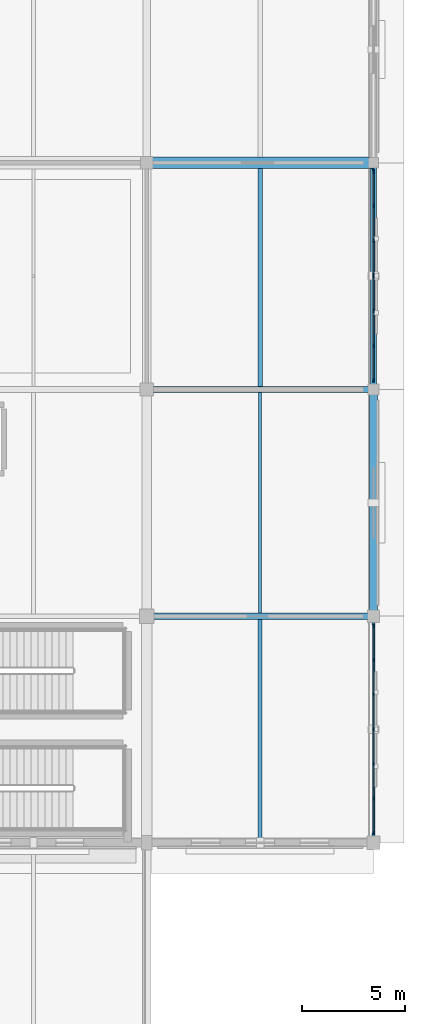
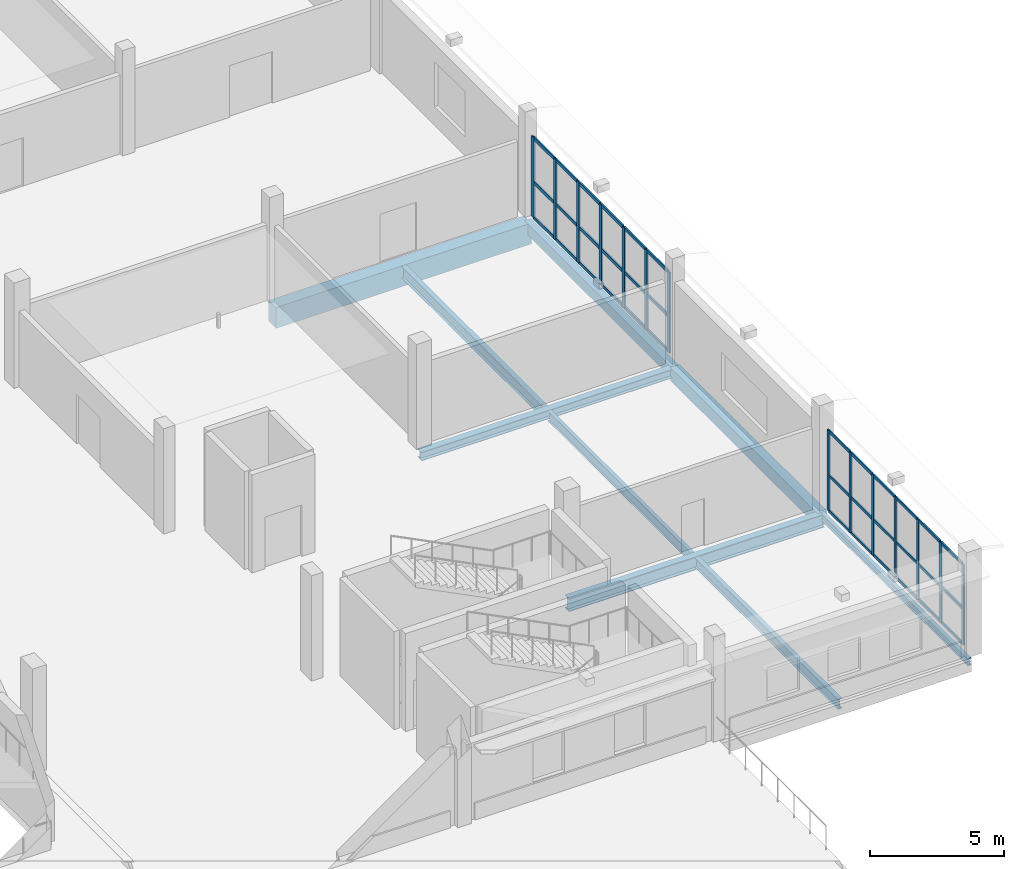
# One storey, part 62 of 143: 50 members, 9 beams, 2 elements without a shape of their own.
"""IFC4 building model written with IfcOpenShell, lengths in metres."""

from ifc_helpers import new_model, si_unit, direction, frame, origin, origin_2d, place, context, subcontext, project, spatial, rectangle, hollow_rectangle, i_section, extrude, material, material_profile, profile_set, type_object, element, aggregate, save


model = new_model("IFC4")

# Units and contexts
model_context = context("Model", 3, precision=1e-05, world=origin(), true_north=direction((0.0, 1.0)))
body_context = subcontext(model_context, "Body", "Model", "MODEL_VIEW")
ifc_project = project(units=[si_unit("LENGTHUNIT", "METRE"), si_unit("AREAUNIT", "SQUARE_METRE"), si_unit("VOLUMEUNIT", "CUBIC_METRE"), si_unit("PLANEANGLEUNIT", "RADIAN"), si_unit("MASSUNIT", "GRAM", prefix="KILO")], contexts=[model_context])

# Site, building, storey
site_placement = place(None, origin())
site = spatial("IfcSite", under=ifc_project, at=site_placement, CompositionType="ELEMENT")
building_placement = place(site_placement, origin())
building = spatial("IfcBuilding", under=site, at=building_placement, Name="Luwafu Chhajja Arena", CompositionType="ELEMENT")
storey_placement = place(building_placement, frame((0.0, 0.0, 5.39990234375)))
storey = spatial("IfcBuildingStorey", under=building, at=storey_placement, Name="L01", CompositionType="ELEMENT", Elevation=5.39990234375)

# Curtain wall, members
ifc_material_1 = material(Name="Anodised bronze aluminium", Category="aluminium")
curtain_wall_type_1 = type_object("IfcCurtainWallType", Name="Charbagh Cloister Curtain Wall", PredefinedType="USERDEFINED", material=ifc_material_1)
curtain_wall_1_placement = place(storey_placement, origin())
curtain_wall_1 = element("IfcCurtainWall", 1, at=curtain_wall_1_placement, inside=storey, type_object=curtain_wall_type_1, Name="L01 Curtain Wall CWG-L01-V17_01", ObjectType="CURTAIN WALL", PredefinedType="USERDEFINED")
ifc_material_profile_1 = material_profile(ifc_material_1, rectangle(XDim=0.06005859375, YDim=0.159912109375, at=origin_2d()), Name="CWM 60x160")
ifc_profile_set_1 = profile_set([ifc_material_profile_1], Name="Anodised bronze aluminium")
member_type_1 = type_object("IfcMemberType", Name="Bronze Curtain Wall Mullion 60x160", PredefinedType="MULLION", material=ifc_profile_set_1)
member_1_placement = place(storey_placement, frame((198.0, 11.4951171875, 0.030029296875), z_axis=(0.0, 0.0, 1.0), x_axis=(-1.0, 0.0, 0.0)))
member_1 = element("IfcMember", 2, at=member_1_placement, type_object=member_type_1, Name="CW-06 mullion 1", PredefinedType="MULLION", context=body_context, shape_type="SweptSolid", body=[
    extrude(rectangle(XDim=0.06005859375, YDim=0.159912109375, at=origin_2d()), origin(), (0.0, 0.0, 1.0), 3.675048828125),
])
member_2_placement = place(storey_placement, frame((198.0, 13.1474609375, 0.030029296875), z_axis=(0.0, 0.0, 1.0), x_axis=(-1.0, 0.0, 0.0)))
member_2 = element("IfcMember", 3, at=member_2_placement, type_object=member_type_1, Name="CW-06 mullion 2", PredefinedType="MULLION", context=body_context, shape_type="SweptSolid", body=[
    extrude(rectangle(XDim=0.06005859375, YDim=0.159912109375, at=origin_2d()), origin(), (0.0, 0.0, 1.0), 3.675048828125),
])
member_3_placement = place(storey_placement, frame((198.0, 14.830078125, 0.030029296875), z_axis=(0.0, 0.0, 1.0), x_axis=(-1.0, 0.0, 0.0)))
member_3 = element("IfcMember", 4, at=member_3_placement, type_object=member_type_1, Name="CW-06 mullion 3", PredefinedType="MULLION", context=body_context, shape_type="SweptSolid", body=[
    extrude(rectangle(XDim=0.06005859375, YDim=0.159912109375, at=origin_2d()), origin(), (0.0, 0.0, 1.0), 3.675048828125),
])
member_4_placement = place(storey_placement, frame((198.0, 16.512451171875, 0.030029296875), z_axis=(0.0, 0.0, 1.0), x_axis=(-1.0, 0.0, 0.0)))
member_4 = element("IfcMember", 5, at=member_4_placement, type_object=member_type_1, Name="CW-06 mullion 4", PredefinedType="MULLION", context=body_context, shape_type="SweptSolid", body=[
    extrude(rectangle(XDim=0.06005859375, YDim=0.159912109375, at=origin_2d()), origin(), (0.0, 0.0, 1.0), 3.675048828125),
])
member_5_placement = place(storey_placement, frame((198.0, 18.195068359375, 0.030029296875), z_axis=(0.0, 0.0, 1.0), x_axis=(-1.0, 0.0, 0.0)))
member_5 = element("IfcMember", 6, at=member_5_placement, type_object=member_type_1, Name="CW-06 mullion 5", PredefinedType="MULLION", context=body_context, shape_type="SweptSolid", body=[
    extrude(rectangle(XDim=0.06005859375, YDim=0.159912109375, at=origin_2d()), origin(), (0.0, 0.0, 1.0), 3.675048828125),
])
member_6_placement = place(storey_placement, frame((198.0, 19.87744140625, 0.030029296875), z_axis=(0.0, 0.0, 1.0), x_axis=(-1.0, 0.0, 0.0)))
member_6 = element("IfcMember", 7, at=member_6_placement, type_object=member_type_1, Name="CW-06 mullion 6", PredefinedType="MULLION", context=body_context, shape_type="SweptSolid", body=[
    extrude(rectangle(XDim=0.06005859375, YDim=0.159912109375, at=origin_2d()), origin(), (0.0, 0.0, 1.0), 3.675048828125),
])
member_7_placement = place(storey_placement, frame((198.0, 21.530029296875, 0.030029296875), z_axis=(0.0, 0.0, 1.0), x_axis=(-1.0, 0.0, 0.0)))
member_7 = element("IfcMember", 8, at=member_7_placement, type_object=member_type_1, Name="CW-06 mullion 7", PredefinedType="MULLION", context=body_context, shape_type="SweptSolid", body=[
    extrude(rectangle(XDim=0.06005859375, YDim=0.159912109375, at=origin_2d()), origin(), (0.0, 0.0, 1.0), 3.675048828125),
])

curtain_wall_type_2 = type_object("IfcCurtainWallType", Name="VIP Club Terrace Curtain Wall", PredefinedType="USERDEFINED", material=ifc_material_1)
curtain_wall_2_placement = place(storey_placement, origin())
curtain_wall_2 = element("IfcCurtainWall", 9, at=curtain_wall_2_placement, inside=storey, type_object=curtain_wall_type_2, Name="L01 Curtain Wall CWG-L01-V17_03", ObjectType="CURTAIN WALL", PredefinedType="USERDEFINED")
ifc_material_profile_2 = material_profile(ifc_material_1, rectangle(XDim=0.06494140625, YDim=0.199951171875, at=origin_2d()), Name="CWM 65x200")
ifc_profile_set_2 = profile_set([ifc_material_profile_2], Name="Anodised bronze aluminium")
member_type_2 = type_object("IfcMemberType", Name="Bronze Curtain Wall Mullion 65x200", PredefinedType="MULLION", material=ifc_profile_set_2)
member_8_placement = place(storey_placement, frame((198.0, 33.447509765625, 0.030029296875), z_axis=(0.0, 0.0, 1.0), x_axis=(-1.0, 0.0, 0.0)))
member_8 = element("IfcMember", 10, at=member_8_placement, type_object=member_type_2, Name="CW-10 mullion 1", PredefinedType="MULLION", context=body_context, shape_type="SweptSolid", body=[
    extrude(rectangle(XDim=0.06494140625, YDim=0.199951171875, at=origin_2d()), origin(), (0.0, 0.0, 1.0), 3.675048828125),
])
member_9_placement = place(storey_placement, frame((198.0, 35.1142578125, 0.030029296875), z_axis=(0.0, 0.0, 1.0), x_axis=(-1.0, 0.0, 0.0)))
member_9 = element("IfcMember", 11, at=member_9_placement, type_object=member_type_2, Name="CW-10 mullion 2", PredefinedType="MULLION", context=body_context, shape_type="SweptSolid", body=[
    extrude(rectangle(XDim=0.06494140625, YDim=0.199951171875, at=origin_2d()), origin(), (0.0, 0.0, 1.0), 3.675048828125),
])
member_10_placement = place(storey_placement, frame((198.0, 36.813232421875, 0.030029296875), z_axis=(0.0, 0.0, 1.0), x_axis=(-1.0, 0.0, 0.0)))
member_10 = element("IfcMember", 12, at=member_10_placement, type_object=member_type_2, Name="CW-10 mullion 3", PredefinedType="MULLION", context=body_context, shape_type="SweptSolid", body=[
    extrude(rectangle(XDim=0.06494140625, YDim=0.199951171875, at=origin_2d()), origin(), (0.0, 0.0, 1.0), 3.675048828125),
])
member_11_placement = place(storey_placement, frame((198.0, 38.512451171875, 0.030029296875), z_axis=(0.0, 0.0, 1.0), x_axis=(-1.0, 0.0, 0.0)))
member_11 = element("IfcMember", 13, at=member_11_placement, type_object=member_type_2, Name="CW-10 mullion 4", PredefinedType="MULLION", context=body_context, shape_type="SweptSolid", body=[
    extrude(rectangle(XDim=0.06494140625, YDim=0.199951171875, at=origin_2d()), origin(), (0.0, 0.0, 1.0), 3.675048828125),
])
member_12_placement = place(storey_placement, frame((198.0, 40.211669921875, 0.030029296875), z_axis=(0.0, 0.0, 1.0), x_axis=(-1.0, 0.0, 0.0)))
member_12 = element("IfcMember", 14, at=member_12_placement, type_object=member_type_2, Name="CW-10 mullion 5", PredefinedType="MULLION", context=body_context, shape_type="SweptSolid", body=[
    extrude(rectangle(XDim=0.06494140625, YDim=0.199951171875, at=origin_2d()), origin(), (0.0, 0.0, 1.0), 3.675048828125),
])
member_13_placement = place(storey_placement, frame((198.0, 41.910888671875, 0.030029296875), z_axis=(0.0, 0.0, 1.0), x_axis=(-1.0, 0.0, 0.0)))
member_13 = element("IfcMember", 15, at=member_13_placement, type_object=member_type_2, Name="CW-10 mullion 6", PredefinedType="MULLION", context=body_context, shape_type="SweptSolid", body=[
    extrude(rectangle(XDim=0.06494140625, YDim=0.199951171875, at=origin_2d()), origin(), (0.0, 0.0, 1.0), 3.675048828125),
])
member_14_placement = place(storey_placement, frame((198.0, 43.577392578125, 0.030029296875), z_axis=(0.0, 0.0, 1.0), x_axis=(-1.0, 0.0, 0.0)))
member_14 = element("IfcMember", 16, at=member_14_placement, type_object=member_type_2, Name="CW-10 mullion 7", PredefinedType="MULLION", context=body_context, shape_type="SweptSolid", body=[
    extrude(rectangle(XDim=0.06494140625, YDim=0.199951171875, at=origin_2d()), origin(), (0.0, 0.0, 1.0), 3.675048828125),
])

# Member
ifc_material_profile_3 = material_profile(ifc_material_1, rectangle(XDim=0.06005859375, YDim=0.1298828125, at=origin_2d()), Name="CWT 60x130")
ifc_profile_set_3 = profile_set([ifc_material_profile_3], Name="Anodised bronze aluminium")
member_type_3 = type_object("IfcMemberType", Name="Bronze Curtain Wall Transom 60x130", PredefinedType="USERDEFINED", material=ifc_profile_set_3)
member_15_placement = place(storey_placement, frame((198.0, 11.52490234375, 0.06005859375), z_axis=(0.0, 1.0, 0.0), x_axis=(-1.0, 0.0, 0.0)))
member_15 = element("IfcMember", 17, at=member_15_placement, type_object=member_type_3, Name="CW-06 transom 1.1", ObjectType="TRANSOM", PredefinedType="USERDEFINED", context=body_context, shape_type="SweptSolid", body=[
    extrude(rectangle(XDim=0.06005859375, YDim=0.1298828125, at=origin_2d()), origin(), (0.0, 0.0, 1.0), 1.592529296875),
])

member_16_placement = place(storey_placement, frame((198.0, 11.52490234375, 1.66748046875), z_axis=(0.0, 1.0, 0.0), x_axis=(-1.0, 0.0, 0.0)))
member_16 = element("IfcMember", 18, at=member_16_placement, type_object=member_type_3, Name="CW-06 transom 1.2", ObjectType="TRANSOM", PredefinedType="USERDEFINED", context=body_context, shape_type="SweptSolid", body=[
    extrude(rectangle(XDim=0.06005859375, YDim=0.1298828125, at=origin_2d()), origin(), (0.0, 0.0, 1.0), 1.592529296875),
])

member_17_placement = place(storey_placement, frame((198.0, 11.52490234375, 3.675048828125), z_axis=(0.0, 1.0, 0.0), x_axis=(-1.0, 0.0, 0.0)))
member_17 = element("IfcMember", 19, at=member_17_placement, type_object=member_type_3, Name="CW-06 transom 1.3", ObjectType="TRANSOM", PredefinedType="USERDEFINED", context=body_context, shape_type="SweptSolid", body=[
    extrude(rectangle(XDim=0.06005859375, YDim=0.1298828125, at=origin_2d()), origin(), (0.0, 0.0, 1.0), 1.592529296875),
])

member_18_placement = place(storey_placement, frame((198.0, 13.177490234375, 0.06005859375), z_axis=(0.0, 1.0, 0.0), x_axis=(-1.0, 0.0, 0.0)))
member_18 = element("IfcMember", 20, at=member_18_placement, type_object=member_type_3, Name="CW-06 transom 2.1", ObjectType="TRANSOM", PredefinedType="USERDEFINED", context=body_context, shape_type="SweptSolid", body=[
    extrude(rectangle(XDim=0.06005859375, YDim=0.1298828125, at=origin_2d()), origin(), (0.0, 0.0, 1.0), 1.62255859375),
])

member_19_placement = place(storey_placement, frame((198.0, 13.177490234375, 1.66748046875), z_axis=(0.0, 1.0, 0.0), x_axis=(-1.0, 0.0, 0.0)))
member_19 = element("IfcMember", 21, at=member_19_placement, type_object=member_type_3, Name="CW-06 transom 2.2", ObjectType="TRANSOM", PredefinedType="USERDEFINED", context=body_context, shape_type="SweptSolid", body=[
    extrude(rectangle(XDim=0.06005859375, YDim=0.1298828125, at=origin_2d()), origin(), (0.0, 0.0, 1.0), 1.62255859375),
])

member_20_placement = place(storey_placement, frame((198.0, 13.177490234375, 3.675048828125), z_axis=(0.0, 1.0, 0.0), x_axis=(-1.0, 0.0, 0.0)))
member_20 = element("IfcMember", 22, at=member_20_placement, type_object=member_type_3, Name="CW-06 transom 2.3", ObjectType="TRANSOM", PredefinedType="USERDEFINED", context=body_context, shape_type="SweptSolid", body=[
    extrude(rectangle(XDim=0.06005859375, YDim=0.1298828125, at=origin_2d()), origin(), (0.0, 0.0, 1.0), 1.62255859375),
])

member_21_placement = place(storey_placement, frame((198.0, 14.860107421875, 0.06005859375), z_axis=(0.0, 1.0, 0.0), x_axis=(-1.0, 0.0, 0.0)))
member_21 = element("IfcMember", 23, at=member_21_placement, type_object=member_type_3, Name="CW-06 transom 3.1", ObjectType="TRANSOM", PredefinedType="USERDEFINED", context=body_context, shape_type="SweptSolid", body=[
    extrude(rectangle(XDim=0.06005859375, YDim=0.1298828125, at=origin_2d()), origin(), (0.0, 0.0, 1.0), 1.622314453125),
])

member_22_placement = place(storey_placement, frame((198.0, 14.860107421875, 1.66748046875), z_axis=(0.0, 1.0, 0.0), x_axis=(-1.0, 0.0, 0.0)))
member_22 = element("IfcMember", 24, at=member_22_placement, type_object=member_type_3, Name="CW-06 transom 3.2", ObjectType="TRANSOM", PredefinedType="USERDEFINED", context=body_context, shape_type="SweptSolid", body=[
    extrude(rectangle(XDim=0.06005859375, YDim=0.1298828125, at=origin_2d()), origin(), (0.0, 0.0, 1.0), 1.622314453125),
])

member_23_placement = place(storey_placement, frame((198.0, 14.860107421875, 3.675048828125), z_axis=(0.0, 1.0, 0.0), x_axis=(-1.0, 0.0, 0.0)))
member_23 = element("IfcMember", 25, at=member_23_placement, type_object=member_type_3, Name="CW-06 transom 3.3", ObjectType="TRANSOM", PredefinedType="USERDEFINED", context=body_context, shape_type="SweptSolid", body=[
    extrude(rectangle(XDim=0.06005859375, YDim=0.1298828125, at=origin_2d()), origin(), (0.0, 0.0, 1.0), 1.622314453125),
])

member_24_placement = place(storey_placement, frame((198.0, 16.54248046875, 0.06005859375), z_axis=(0.0, 1.0, 0.0), x_axis=(-1.0, 0.0, 0.0)))
member_24 = element("IfcMember", 26, at=member_24_placement, type_object=member_type_3, Name="CW-06 transom 4.1", ObjectType="TRANSOM", PredefinedType="USERDEFINED", context=body_context, shape_type="SweptSolid", body=[
    extrude(rectangle(XDim=0.06005859375, YDim=0.1298828125, at=origin_2d()), origin(), (0.0, 0.0, 1.0), 1.62255859375),
])

member_25_placement = place(storey_placement, frame((198.0, 16.54248046875, 1.66748046875), z_axis=(0.0, 1.0, 0.0), x_axis=(-1.0, 0.0, 0.0)))
member_25 = element("IfcMember", 27, at=member_25_placement, type_object=member_type_3, Name="CW-06 transom 4.2", ObjectType="TRANSOM", PredefinedType="USERDEFINED", context=body_context, shape_type="SweptSolid", body=[
    extrude(rectangle(XDim=0.06005859375, YDim=0.1298828125, at=origin_2d()), origin(), (0.0, 0.0, 1.0), 1.62255859375),
])

member_26_placement = place(storey_placement, frame((198.0, 16.54248046875, 3.675048828125), z_axis=(0.0, 1.0, 0.0), x_axis=(-1.0, 0.0, 0.0)))
member_26 = element("IfcMember", 28, at=member_26_placement, type_object=member_type_3, Name="CW-06 transom 4.3", ObjectType="TRANSOM", PredefinedType="USERDEFINED", context=body_context, shape_type="SweptSolid", body=[
    extrude(rectangle(XDim=0.06005859375, YDim=0.1298828125, at=origin_2d()), origin(), (0.0, 0.0, 1.0), 1.62255859375),
])

member_27_placement = place(storey_placement, frame((198.0, 18.22509765625, 0.06005859375), z_axis=(0.0, 1.0, 0.0), x_axis=(-1.0, 0.0, 0.0)))
member_27 = element("IfcMember", 29, at=member_27_placement, type_object=member_type_3, Name="CW-06 transom 5.1", ObjectType="TRANSOM", PredefinedType="USERDEFINED", context=body_context, shape_type="SweptSolid", body=[
    extrude(rectangle(XDim=0.06005859375, YDim=0.1298828125, at=origin_2d()), origin(), (0.0, 0.0, 1.0), 1.622314453125),
])

member_28_placement = place(storey_placement, frame((198.0, 18.22509765625, 1.66748046875), z_axis=(0.0, 1.0, 0.0), x_axis=(-1.0, 0.0, 0.0)))
member_28 = element("IfcMember", 30, at=member_28_placement, type_object=member_type_3, Name="CW-06 transom 5.2", ObjectType="TRANSOM", PredefinedType="USERDEFINED", context=body_context, shape_type="SweptSolid", body=[
    extrude(rectangle(XDim=0.06005859375, YDim=0.1298828125, at=origin_2d()), origin(), (0.0, 0.0, 1.0), 1.622314453125),
])

member_29_placement = place(storey_placement, frame((198.0, 18.22509765625, 3.675048828125), z_axis=(0.0, 1.0, 0.0), x_axis=(-1.0, 0.0, 0.0)))
member_29 = element("IfcMember", 31, at=member_29_placement, type_object=member_type_3, Name="CW-06 transom 5.3", ObjectType="TRANSOM", PredefinedType="USERDEFINED", context=body_context, shape_type="SweptSolid", body=[
    extrude(rectangle(XDim=0.06005859375, YDim=0.1298828125, at=origin_2d()), origin(), (0.0, 0.0, 1.0), 1.622314453125),
])

member_30_placement = place(storey_placement, frame((198.0, 19.907470703125, 0.06005859375), z_axis=(0.0, 1.0, 0.0), x_axis=(-1.0, 0.0, 0.0)))
member_30 = element("IfcMember", 32, at=member_30_placement, type_object=member_type_3, Name="CW-06 transom 6.1", ObjectType="TRANSOM", PredefinedType="USERDEFINED", context=body_context, shape_type="SweptSolid", body=[
    extrude(rectangle(XDim=0.06005859375, YDim=0.1298828125, at=origin_2d()), origin(), (0.0, 0.0, 1.0), 1.592529296875),
])

member_31_placement = place(storey_placement, frame((198.0, 19.907470703125, 1.66748046875), z_axis=(0.0, 1.0, 0.0), x_axis=(-1.0, 0.0, 0.0)))
member_31 = element("IfcMember", 33, at=member_31_placement, type_object=member_type_3, Name="CW-06 transom 6.2", ObjectType="TRANSOM", PredefinedType="USERDEFINED", context=body_context, shape_type="SweptSolid", body=[
    extrude(rectangle(XDim=0.06005859375, YDim=0.1298828125, at=origin_2d()), origin(), (0.0, 0.0, 1.0), 1.592529296875),
])

member_32_placement = place(storey_placement, frame((198.0, 19.907470703125, 3.675048828125), z_axis=(0.0, 1.0, 0.0), x_axis=(-1.0, 0.0, 0.0)))
member_32 = element("IfcMember", 34, at=member_32_placement, type_object=member_type_3, Name="CW-06 transom 6.3", ObjectType="TRANSOM", PredefinedType="USERDEFINED", context=body_context, shape_type="SweptSolid", body=[
    extrude(rectangle(XDim=0.06005859375, YDim=0.1298828125, at=origin_2d()), origin(), (0.0, 0.0, 1.0), 1.592529296875),
])

aggregate(curtain_wall_1, [member_1, member_2, member_3, member_4, member_5, member_6, member_7, member_15, member_16, member_17, member_18, member_19, member_20, member_21, member_22, member_23, member_24, member_25, member_26, member_27, member_28, member_29, member_30, member_31, member_32])

ifc_material_profile_4 = material_profile(ifc_material_1, rectangle(XDim=0.06494140625, YDim=0.14990234375, at=origin_2d()), Name="CWT 65x150")
ifc_profile_set_4 = profile_set([ifc_material_profile_4], Name="Anodised bronze aluminium")
member_type_4 = type_object("IfcMemberType", Name="Bronze Curtain Wall Transom 65x150", PredefinedType="USERDEFINED", material=ifc_profile_set_4)
member_33_placement = place(storey_placement, frame((198.0, 33.47998046875, 0.0625), z_axis=(0.0, 1.0, 0.0), x_axis=(-1.0, 0.0, 0.0)))
member_33 = element("IfcMember", 35, at=member_33_placement, type_object=member_type_4, Name="CW-10 transom 1.1", ObjectType="TRANSOM", PredefinedType="USERDEFINED", context=body_context, shape_type="SweptSolid", body=[
    extrude(rectangle(XDim=0.06494140625, YDim=0.14990234375, at=origin_2d()), origin(), (0.0, 0.0, 1.0), 1.601806640625),
])

member_34_placement = place(storey_placement, frame((198.0, 33.47998046875, 1.66748046875), z_axis=(0.0, 1.0, 0.0), x_axis=(-1.0, 0.0, 0.0)))
member_34 = element("IfcMember", 36, at=member_34_placement, type_object=member_type_4, Name="CW-10 transom 1.2", ObjectType="TRANSOM", PredefinedType="USERDEFINED", context=body_context, shape_type="SweptSolid", body=[
    extrude(rectangle(XDim=0.06494140625, YDim=0.14990234375, at=origin_2d()), origin(), (0.0, 0.0, 1.0), 1.601806640625),
])

member_35_placement = place(storey_placement, frame((198.0, 33.47998046875, 3.672607421875), z_axis=(0.0, 1.0, 0.0), x_axis=(-1.0, 0.0, 0.0)))
member_35 = element("IfcMember", 37, at=member_35_placement, type_object=member_type_4, Name="CW-10 transom 1.3", ObjectType="TRANSOM", PredefinedType="USERDEFINED", context=body_context, shape_type="SweptSolid", body=[
    extrude(rectangle(XDim=0.06494140625, YDim=0.14990234375, at=origin_2d()), origin(), (0.0, 0.0, 1.0), 1.601806640625),
])

member_36_placement = place(storey_placement, frame((198.0, 35.146728515625, 0.0625), z_axis=(0.0, 1.0, 0.0), x_axis=(-1.0, 0.0, 0.0)))
member_36 = element("IfcMember", 38, at=member_36_placement, type_object=member_type_4, Name="CW-10 transom 2.1", ObjectType="TRANSOM", PredefinedType="USERDEFINED", context=body_context, shape_type="SweptSolid", body=[
    extrude(rectangle(XDim=0.06494140625, YDim=0.14990234375, at=origin_2d()), origin(), (0.0, 0.0, 1.0), 1.634033203125),
])

member_37_placement = place(storey_placement, frame((198.0, 35.146728515625, 1.66748046875), z_axis=(0.0, 1.0, 0.0), x_axis=(-1.0, 0.0, 0.0)))
member_37 = element("IfcMember", 39, at=member_37_placement, type_object=member_type_4, Name="CW-10 transom 2.2", ObjectType="TRANSOM", PredefinedType="USERDEFINED", context=body_context, shape_type="SweptSolid", body=[
    extrude(rectangle(XDim=0.06494140625, YDim=0.14990234375, at=origin_2d()), origin(), (0.0, 0.0, 1.0), 1.634033203125),
])

member_38_placement = place(storey_placement, frame((198.0, 35.146728515625, 3.672607421875), z_axis=(0.0, 1.0, 0.0), x_axis=(-1.0, 0.0, 0.0)))
member_38 = element("IfcMember", 40, at=member_38_placement, type_object=member_type_4, Name="CW-10 transom 2.3", ObjectType="TRANSOM", PredefinedType="USERDEFINED", context=body_context, shape_type="SweptSolid", body=[
    extrude(rectangle(XDim=0.06494140625, YDim=0.14990234375, at=origin_2d()), origin(), (0.0, 0.0, 1.0), 1.634033203125),
])

member_39_placement = place(storey_placement, frame((198.0, 36.845947265625, 0.0625), z_axis=(0.0, 1.0, 0.0), x_axis=(-1.0, 0.0, 0.0)))
member_39 = element("IfcMember", 41, at=member_39_placement, type_object=member_type_4, Name="CW-10 transom 3.1", ObjectType="TRANSOM", PredefinedType="USERDEFINED", context=body_context, shape_type="SweptSolid", body=[
    extrude(rectangle(XDim=0.06494140625, YDim=0.14990234375, at=origin_2d()), origin(), (0.0, 0.0, 1.0), 1.634033203125),
])

member_40_placement = place(storey_placement, frame((198.0, 36.845947265625, 1.66748046875), z_axis=(0.0, 1.0, 0.0), x_axis=(-1.0, 0.0, 0.0)))
member_40 = element("IfcMember", 42, at=member_40_placement, type_object=member_type_4, Name="CW-10 transom 3.2", ObjectType="TRANSOM", PredefinedType="USERDEFINED", context=body_context, shape_type="SweptSolid", body=[
    extrude(rectangle(XDim=0.06494140625, YDim=0.14990234375, at=origin_2d()), origin(), (0.0, 0.0, 1.0), 1.634033203125),
])

member_41_placement = place(storey_placement, frame((198.0, 36.845947265625, 3.672607421875), z_axis=(0.0, 1.0, 0.0), x_axis=(-1.0, 0.0, 0.0)))
member_41 = element("IfcMember", 43, at=member_41_placement, type_object=member_type_4, Name="CW-10 transom 3.3", ObjectType="TRANSOM", PredefinedType="USERDEFINED", context=body_context, shape_type="SweptSolid", body=[
    extrude(rectangle(XDim=0.06494140625, YDim=0.14990234375, at=origin_2d()), origin(), (0.0, 0.0, 1.0), 1.634033203125),
])

member_42_placement = place(storey_placement, frame((198.0, 38.544921875, 0.0625), z_axis=(0.0, 1.0, 0.0), x_axis=(-1.0, 0.0, 0.0)))
member_42 = element("IfcMember", 44, at=member_42_placement, type_object=member_type_4, Name="CW-10 transom 4.1", ObjectType="TRANSOM", PredefinedType="USERDEFINED", context=body_context, shape_type="SweptSolid", body=[
    extrude(rectangle(XDim=0.06494140625, YDim=0.14990234375, at=origin_2d()), origin(), (0.0, 0.0, 1.0), 1.63427734375),
])

member_43_placement = place(storey_placement, frame((198.0, 38.544921875, 1.66748046875), z_axis=(0.0, 1.0, 0.0), x_axis=(-1.0, 0.0, 0.0)))
member_43 = element("IfcMember", 45, at=member_43_placement, type_object=member_type_4, Name="CW-10 transom 4.2", ObjectType="TRANSOM", PredefinedType="USERDEFINED", context=body_context, shape_type="SweptSolid", body=[
    extrude(rectangle(XDim=0.06494140625, YDim=0.14990234375, at=origin_2d()), origin(), (0.0, 0.0, 1.0), 1.63427734375),
])

member_44_placement = place(storey_placement, frame((198.0, 38.544921875, 3.672607421875), z_axis=(0.0, 1.0, 0.0), x_axis=(-1.0, 0.0, 0.0)))
member_44 = element("IfcMember", 46, at=member_44_placement, type_object=member_type_4, Name="CW-10 transom 4.3", ObjectType="TRANSOM", PredefinedType="USERDEFINED", context=body_context, shape_type="SweptSolid", body=[
    extrude(rectangle(XDim=0.06494140625, YDim=0.14990234375, at=origin_2d()), origin(), (0.0, 0.0, 1.0), 1.63427734375),
])

member_45_placement = place(storey_placement, frame((198.0, 40.244140625, 0.0625), z_axis=(0.0, 1.0, 0.0), x_axis=(-1.0, 0.0, 0.0)))
member_45 = element("IfcMember", 47, at=member_45_placement, type_object=member_type_4, Name="CW-10 transom 5.1", ObjectType="TRANSOM", PredefinedType="USERDEFINED", context=body_context, shape_type="SweptSolid", body=[
    extrude(rectangle(XDim=0.06494140625, YDim=0.14990234375, at=origin_2d()), origin(), (0.0, 0.0, 1.0), 1.63427734375),
])

member_46_placement = place(storey_placement, frame((198.0, 40.244140625, 1.66748046875), z_axis=(0.0, 1.0, 0.0), x_axis=(-1.0, 0.0, 0.0)))
member_46 = element("IfcMember", 48, at=member_46_placement, type_object=member_type_4, Name="CW-10 transom 5.2", ObjectType="TRANSOM", PredefinedType="USERDEFINED", context=body_context, shape_type="SweptSolid", body=[
    extrude(rectangle(XDim=0.06494140625, YDim=0.14990234375, at=origin_2d()), origin(), (0.0, 0.0, 1.0), 1.63427734375),
])

member_47_placement = place(storey_placement, frame((198.0, 40.244140625, 3.672607421875), z_axis=(0.0, 1.0, 0.0), x_axis=(-1.0, 0.0, 0.0)))
member_47 = element("IfcMember", 49, at=member_47_placement, type_object=member_type_4, Name="CW-10 transom 5.3", ObjectType="TRANSOM", PredefinedType="USERDEFINED", context=body_context, shape_type="SweptSolid", body=[
    extrude(rectangle(XDim=0.06494140625, YDim=0.14990234375, at=origin_2d()), origin(), (0.0, 0.0, 1.0), 1.63427734375),
])

member_48_placement = place(storey_placement, frame((198.0, 41.943359375, 0.0625), z_axis=(0.0, 1.0, 0.0), x_axis=(-1.0, 0.0, 0.0)))
member_48 = element("IfcMember", 50, at=member_48_placement, type_object=member_type_4, Name="CW-10 transom 6.1", ObjectType="TRANSOM", PredefinedType="USERDEFINED", context=body_context, shape_type="SweptSolid", body=[
    extrude(rectangle(XDim=0.06494140625, YDim=0.14990234375, at=origin_2d()), origin(), (0.0, 0.0, 1.0), 1.6015625),
])

member_49_placement = place(storey_placement, frame((198.0, 41.943359375, 1.66748046875), z_axis=(0.0, 1.0, 0.0), x_axis=(-1.0, 0.0, 0.0)))
member_49 = element("IfcMember", 51, at=member_49_placement, type_object=member_type_4, Name="CW-10 transom 6.2", ObjectType="TRANSOM", PredefinedType="USERDEFINED", context=body_context, shape_type="SweptSolid", body=[
    extrude(rectangle(XDim=0.06494140625, YDim=0.14990234375, at=origin_2d()), origin(), (0.0, 0.0, 1.0), 1.6015625),
])

member_50_placement = place(storey_placement, frame((198.0, 41.943359375, 3.672607421875), z_axis=(0.0, 1.0, 0.0), x_axis=(-1.0, 0.0, 0.0)))
member_50 = element("IfcMember", 52, at=member_50_placement, type_object=member_type_4, Name="CW-10 transom 6.3", ObjectType="TRANSOM", PredefinedType="USERDEFINED", context=body_context, shape_type="SweptSolid", body=[
    extrude(rectangle(XDim=0.06494140625, YDim=0.14990234375, at=origin_2d()), origin(), (0.0, 0.0, 1.0), 1.6015625),
])

aggregate(curtain_wall_2, [member_8, member_9, member_10, member_11, member_12, member_13, member_14, member_33, member_34, member_35, member_36, member_37, member_38, member_39, member_40, member_41, member_42, member_43, member_44, member_45, member_46, member_47, member_48, member_49, member_50])

# Beams
ifc_material_2 = material(Name="Steel S355", Category="steel")
ifc_material_profile_5 = material_profile(ifc_material_2, i_section(OverallWidth=0.165771484375, OverallDepth=0.306640625, WebThickness=0.006591796875, FlangeThickness=0.01171875, at=origin_2d()), Name="UB 305x165x46")
ifc_profile_set_5 = profile_set([ifc_material_profile_5], Name="Steel S355")
beam_type_1 = type_object("IfcBeamType", Name="Concourse Edge Spandrel Beam UB 305x165x46", PredefinedType="SPANDREL", material=ifc_profile_set_5)
beam_1_placement = place(storey_placement, frame((198.0, 11.0, -0.483154296875), z_axis=(0.0, 1.0, 0.0), x_axis=(-1.0, 0.0, 0.0)))
element("IfcBeam", 53, at=beam_1_placement, inside=storey, type_object=beam_type_1, Name="L01 Grid Beam 18/B-C", PredefinedType="SPANDREL", context=body_context, shape_type="SweptSolid", body=[
    extrude(i_section(OverallWidth=0.165771484375, OverallDepth=0.306640625, WebThickness=0.006591796875, FlangeThickness=0.01171875, at=origin_2d()), origin(), (0.0, 0.0, 1.0), 11.0),
])
ifc_material_3 = material(Name="Concrete C35/45", Category="concrete")
ifc_material_profile_6 = material_profile(ifc_material_3, rectangle(XDim=0.550048828125, YDim=0.949951171875, at=origin_2d()), Name="RC 550x950")
ifc_profile_set_6 = profile_set([ifc_material_profile_6], Name="Concrete C35/45")
beam_type_2 = type_object("IfcBeamType", Name="Concourse Radial Girder RC 550x950", PredefinedType="BEAM", material=ifc_profile_set_6)
beam_2_placement = place(storey_placement, frame((187.0, 44.0, -0.804931640625), z_axis=(1.0, 0.0, 0.0), x_axis=(0.0, 1.0, 0.0)))
element("IfcBeam", 54, at=beam_2_placement, inside=storey, type_object=beam_type_2, Name="L01 Grid Beam 17-18/E", PredefinedType="BEAM", context=body_context, shape_type="SweptSolid", body=[
    extrude(rectangle(XDim=0.550048828125, YDim=0.949951171875, at=origin_2d()), origin(), (0.0, 0.0, 1.0), 11.0),
])
ifc_material_profile_7 = material_profile(ifc_material_2, i_section(OverallWidth=0.15283203125, OverallDepth=0.45458984375, WebThickness=0.008056640625, FlangeThickness=0.01318359375, at=origin_2d()), Name="UB 457x152x60")
ifc_profile_set_7 = profile_set([ifc_material_profile_7], Name="Steel S355")
beam_type_3 = type_object("IfcBeamType", Name="Floor Joist UB 457x152x60", PredefinedType="JOIST", material=ifc_profile_set_7)
beam_3_placement = place(storey_placement, frame((192.5, 22.14990234375, -0.55712890625), z_axis=(0.0, 1.0, 0.0), x_axis=(-1.0, 0.0, 0.0)))
element("IfcBeam", 55, at=beam_3_placement, inside=storey, type_object=beam_type_3, Name="L01 Secondary Joist 17-18/C", PredefinedType="JOIST", context=body_context, shape_type="SweptSolid", body=[
    extrude(i_section(OverallWidth=0.15283203125, OverallDepth=0.45458984375, WebThickness=0.008056640625, FlangeThickness=0.01318359375, at=origin_2d()), origin(), (0.0, 0.0, 1.0), 10.7001953125),
])
ifc_material_profile_8 = material_profile(ifc_material_2, i_section(OverallWidth=0.19140625, OverallDepth=0.4599609375, WebThickness=0.010009765625, FlangeThickness=0.01611328125, at=origin_2d()), Name="UB 457x191x82")
ifc_profile_set_8 = profile_set([ifc_material_profile_8], Name="Steel S355")
beam_type_4 = type_object("IfcBeamType", Name="Floor Joist UB 457x191x82", PredefinedType="JOIST", material=ifc_profile_set_8)
beam_4_placement = place(storey_placement, frame((192.5, 11.14990234375, -0.559814453125), z_axis=(0.0, 1.0, 0.0), x_axis=(-1.0, 0.0, 0.0)))
element("IfcBeam", 56, at=beam_4_placement, inside=storey, type_object=beam_type_4, Name="L01 Secondary Joist 17-18/B", PredefinedType="JOIST", context=body_context, shape_type="SweptSolid", body=[
    extrude(i_section(OverallWidth=0.19140625, OverallDepth=0.4599609375, WebThickness=0.010009765625, FlangeThickness=0.01611328125, at=origin_2d()), origin(), (0.0, 0.0, 1.0), 10.7001953125),
])
ifc_material_profile_9 = material_profile(ifc_material_2, i_section(OverallWidth=0.2099609375, OverallDepth=0.53662109375, WebThickness=0.0107421875, FlangeThickness=0.017333984375, at=origin_2d()), Name="UB 533x210x101")
ifc_profile_set_9 = profile_set([ifc_material_profile_9], Name="Steel S355")
beam_type_5 = type_object("IfcBeamType", Name="Floor Joist UB 533x210x101", PredefinedType="JOIST", material=ifc_profile_set_9)
beam_5_placement = place(storey_placement, frame((192.5, 33.14990234375, -0.59814453125), z_axis=(0.0, 1.0, 0.0), x_axis=(-1.0, 0.0, 0.0)))
element("IfcBeam", 57, at=beam_5_placement, inside=storey, type_object=beam_type_5, Name="L01 Secondary Joist 17-18/D", PredefinedType="JOIST", context=body_context, shape_type="SweptSolid", body=[
    extrude(i_section(OverallWidth=0.2099609375, OverallDepth=0.53662109375, WebThickness=0.0107421875, FlangeThickness=0.017333984375, at=origin_2d()), origin(), (0.0, 0.0, 1.0), 10.5751953125),
])
ifc_material_profile_10 = material_profile(ifc_material_2, hollow_rectangle(XDim=0.300048828125, YDim=0.5, WallThickness=0.02001953125, at=origin_2d()), Name="RHS 500x300x20")
ifc_profile_set_10 = profile_set([ifc_material_profile_10], Name="Steel S355")
beam_type_6 = type_object("IfcBeamType", Name="Pleated Drum Spandrel Beam RHS 500x300", PredefinedType="SPANDREL", material=ifc_profile_set_10)
beam_6_placement = place(storey_placement, frame((198.0, 33.0, -0.579833984375), z_axis=(0.0, 1.0, 0.0), x_axis=(-1.0, 0.0, 0.0)))
element("IfcBeam", 58, at=beam_6_placement, inside=storey, type_object=beam_type_6, Name="L01 Grid Beam 18/D-E", PredefinedType="SPANDREL", context=body_context, shape_type="SweptSolid", body=[
    extrude(hollow_rectangle(XDim=0.300048828125, YDim=0.5, WallThickness=0.02001953125, at=origin_2d()), origin(), (0.0, 0.0, 1.0), 11.0),
])
ifc_material_profile_11 = material_profile(ifc_material_3, rectangle(XDim=0.39990234375, YDim=0.60009765625, at=origin_2d()), Name="RC 400x600")
ifc_profile_set_11 = profile_set([ifc_material_profile_11], Name="Concrete C35/45")
beam_type_7 = type_object("IfcBeamType", Name="Podium Perimeter Spandrel RC 400x600", PredefinedType="SPANDREL", material=ifc_profile_set_11)
beam_7_placement = place(storey_placement, frame((198.0, 22.0, -0.6298828125), z_axis=(0.0, 1.0, 0.0), x_axis=(-1.0, 0.0, 0.0)))
element("IfcBeam", 59, at=beam_7_placement, inside=storey, type_object=beam_type_7, Name="L01 Grid Beam 18/C-D", PredefinedType="SPANDREL", context=body_context, shape_type="SweptSolid", body=[
    extrude(rectangle(XDim=0.39990234375, YDim=0.60009765625, at=origin_2d()), origin(), (0.0, 0.0, 1.0), 11.0),
])
ifc_material_profile_12 = material_profile(ifc_material_2, i_section(OverallWidth=0.300048828125, OverallDepth=0.60009765625, WebThickness=0.015380859375, FlangeThickness=0.030029296875, at=origin_2d()), Name="HEB 600")
ifc_profile_set_12 = profile_set([ifc_material_profile_12], Name="Steel S355")
beam_type_8 = type_object("IfcBeamType", Name="Steel Gallery Girder HEB 600", PredefinedType="BEAM", material=ifc_profile_set_12)
beam_8_placement = place(storey_placement, frame((187.0, 22.0, -0.6298828125), z_axis=(1.0, 0.0, 0.0), x_axis=(0.0, 1.0, 0.0)))
element("IfcBeam", 60, at=beam_8_placement, inside=storey, type_object=beam_type_8, Name="L01 Grid Beam 17-18/C", PredefinedType="BEAM", context=body_context, shape_type="SweptSolid", body=[
    extrude(i_section(OverallWidth=0.300048828125, OverallDepth=0.60009765625, WebThickness=0.015380859375, FlangeThickness=0.030029296875, at=origin_2d()), origin(), (0.0, 0.0, 1.0), 11.0),
])
ifc_material_profile_13 = material_profile(ifc_material_2, i_section(OverallWidth=0.300048828125, OverallDepth=0.39990234375, WebThickness=0.013427734375, FlangeThickness=0.02392578125, at=origin_2d()), Name="HEB 400")
ifc_profile_set_13 = profile_set([ifc_material_profile_13], Name="Steel S355")
beam_type_9 = type_object("IfcBeamType", Name="Steel Rigging Grid Beam HEB 400", PredefinedType="BEAM", material=ifc_profile_set_13)
beam_9_placement = place(storey_placement, frame((187.0, 33.0, -0.52978515625), z_axis=(1.0, 0.0, 0.0), x_axis=(0.0, 1.0, 0.0)))
element("IfcBeam", 61, at=beam_9_placement, inside=storey, type_object=beam_type_9, Name="L01 Grid Beam 17-18/D", PredefinedType="BEAM", context=body_context, shape_type="SweptSolid", body=[
    extrude(i_section(OverallWidth=0.300048828125, OverallDepth=0.39990234375, WebThickness=0.013427734375, FlangeThickness=0.02392578125, at=origin_2d()), origin(), (0.0, 0.0, 1.0), 11.0),
])

save(model, "model.ifc")
